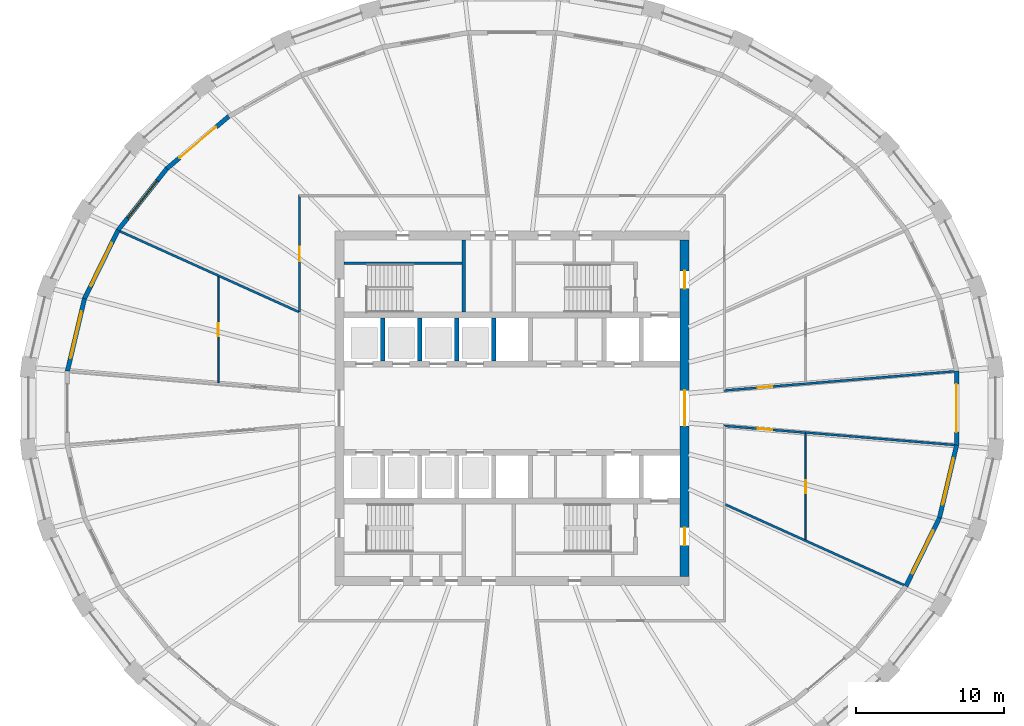
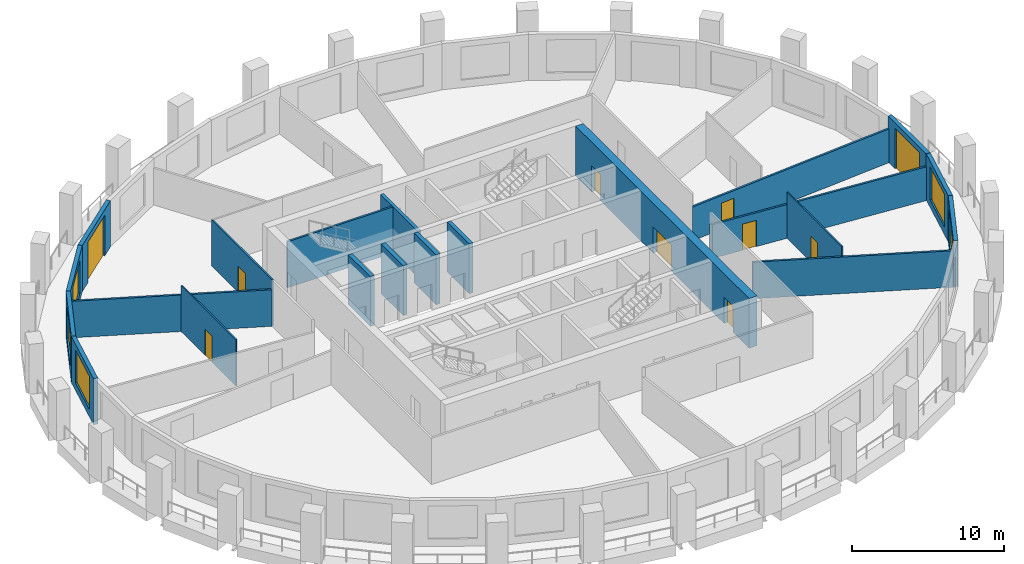
# One storey, part 5 of 10: 22 walls, 10 doors, 5 windows, 15 openings.
"""IFC4 building model written with IfcOpenShell, lengths in metres."""

import ifcopenshell
import ifcopenshell.guid

model = None  # the IFC model being written
_history = None  # IfcOwnerHistory: only IFC2X3 demands one
_inside = {}  # id of a spatial element -> (the spatial element, [elements in it])
_under = {}  # id of a project, library or spatial element -> (it, [spatial elements below it])
_declared = {}  # id of a project -> (the project, [libraries it declares])
_typed = {}  # id of a type object -> (the type object, [elements of that type])
_made_of = {}  # id of a material, layer set ... -> (it, [elements and type objects made of it])


def new_model(schema):
    """Start an empty IFC model of exactly this schema.

    Asked for "IFC4X3", IfcOpenShell would pick the latest addendum, in which some entities
    have other attributes; the version numbers below select the first issue.
    IFC2X3 requires an IfcOwnerHistory on every rooted entity: one is made here for all.
    """
    global model, _history
    if schema == "IFC4X3":
        model = ifcopenshell.file(schema_version=(4, 3, 0, 0))
    else:
        model = ifcopenshell.file(schema=schema)
    _inside.clear()
    _under.clear()
    _declared.clear()
    _typed.clear()
    _made_of.clear()
    _history = None
    if model.schema == "IFC2X3":
        org = make("IfcOrganization", Name="unknown")
        user = make(
            "IfcPersonAndOrganization",
            ThePerson=make("IfcPerson", FamilyName="unknown"),
            TheOrganization=org,
        )
        app = make(
            "IfcApplication",
            ApplicationDeveloper=org,
            Version="unknown",
            ApplicationFullName="unknown",
            ApplicationIdentifier="unknown",
        )
        _history = make(
            "IfcOwnerHistory",
            OwningUser=user,
            OwningApplication=app,
            ChangeAction="ADDED",
            CreationDate=0,
        )
    return model


def make(cls, **values):
    """One entity of the class cls with the attributes given. An attribute that is None is left unset."""
    return model.create_entity(
        cls, **{name: value for name, value in values.items() if value is not None}
    )


def rooted(cls, **values):
    """An entity with a GlobalId (a new one), such as an element, a storey or a relation."""
    return make(cls, GlobalId=ifcopenshell.guid.new(), OwnerHistory=_history, **values)


def si_unit(unit_type, name, prefix=None):
    """IfcSIUnit, for example si_unit("LENGTHUNIT", "METRE", prefix="MILLI")."""
    return make("IfcSIUnit", UnitType=unit_type, Prefix=prefix, Name=name)


def assignment(units):
    """IfcUnitAssignment: the units of a project."""
    return None if units is None else make("IfcUnitAssignment", Units=units)


def point(xyz):
    """IfcCartesianPoint."""
    return None if xyz is None else make("IfcCartesianPoint", Coordinates=xyz)


def direction(xyz):
    """IfcDirection."""
    return None if xyz is None else make("IfcDirection", DirectionRatios=xyz)


def frame(location, z_axis=None, x_axis=None):
    """IfcAxis2Placement3D, a coordinate frame: its origin and axes. An axis left out is left unset."""
    return make(
        "IfcAxis2Placement3D",
        Location=point(location),
        Axis=direction(z_axis),
        RefDirection=direction(x_axis),
    )


def frame_2d(location, x_axis=None):
    """IfcAxis2Placement2D, a coordinate frame in the plane: its origin and x axis."""
    return make(
        "IfcAxis2Placement2D", Location=point(location), RefDirection=direction(x_axis)
    )


def origin():
    """The frame at (0, 0, 0) with its axes left unset."""
    return frame((0.0, 0.0, 0.0))


def place(relative_to, where):
    """IfcLocalPlacement: puts the frame where relative to a parent placement (None: the world)."""
    return make(
        "IfcLocalPlacement", PlacementRelTo=relative_to, RelativePlacement=where
    )


def context(
    kind, dimensions, precision=None, world=None, true_north=None, identifier=None
):
    """IfcGeometricRepresentationContext, for example the 3D "Model" context."""
    return make(
        "IfcGeometricRepresentationContext",
        ContextIdentifier=identifier,
        ContextType=kind,
        CoordinateSpaceDimension=dimensions,
        Precision=precision,
        WorldCoordinateSystem=world,
        TrueNorth=true_north,
    )


def subcontext(parent, identifier, kind, view, scale=None):
    """IfcGeometricRepresentationSubContext, for example "Body" below "Model"."""
    return make(
        "IfcGeometricRepresentationSubContext",
        ContextIdentifier=identifier,
        ContextType=kind,
        ParentContext=parent,
        TargetScale=scale,
        TargetView=view,
    )


def project(units=None, contexts=None):
    """IfcProject with its units and contexts."""
    return rooted(
        "IfcProject",
        Name="project",
        RepresentationContexts=contexts,
        UnitsInContext=assignment(units),
    )


def spatial(cls, under=None, at=None, **own):
    """A site, building, storey or space (cls), placed at a placement, below another one or the project."""
    s = rooted(cls, ObjectPlacement=at, **own)
    if under is not None:
        _under.setdefault(under.id(), (under, []))[1].append(s)
    return s


def polyline(points):
    """IfcPolyline through the points."""
    return make("IfcPolyline", Points=[point(p) for p in points])


def profile(cls, at=None, kind="AREA", **sizes):
    """A parametric profile (cls). Its sizes go by their IFC names, for example OverallWidth=200.0."""
    return make(cls, ProfileType=kind, Position=at, **sizes)


def rectangle(**sizes):
    """IfcRectangleProfileDef."""
    return profile("IfcRectangleProfileDef", **sizes)


def outline(outer, holes=None, kind="AREA"):
    """IfcArbitraryClosedProfileDef: a profile drawn as a closed curve; with holes, ...WithVoids."""
    if holes is None:
        return make("IfcArbitraryClosedProfileDef", ProfileType=kind, OuterCurve=outer)
    return make(
        "IfcArbitraryProfileDefWithVoids",
        ProfileType=kind,
        OuterCurve=outer,
        InnerCurves=holes,
    )


def extrude(swept, where, along, depth):
    """IfcExtrudedAreaSolid: the profile swept, set in the frame where, extruded along a direction by depth."""
    return make(
        "IfcExtrudedAreaSolid",
        SweptArea=swept,
        Position=where,
        ExtrudedDirection=direction(along),
        Depth=depth,
    )


def shape(context_of_items, identifier, shape_type, items):
    """IfcShapeRepresentation: the items that make up one representation, for example the "Body"."""
    return make(
        "IfcShapeRepresentation",
        ContextOfItems=context_of_items,
        RepresentationIdentifier=identifier,
        RepresentationType=shape_type,
        Items=items,
    )


def material(Name=None, Category=None):
    """IfcMaterial."""
    return make("IfcMaterial", Name=Name, Category=Category)


def layer(
    of_material, thickness, ventilated=None, Name=None, Category=None, Priority=None
):
    """IfcMaterialLayer: one layer of a wall or slab, of a material (None: an air gap)."""
    return make(
        "IfcMaterialLayer",
        Material=of_material,
        LayerThickness=thickness,
        IsVentilated=ventilated,
        Name=Name,
        Category=Category,
        Priority=Priority,
    )


def layer_set(layers, Name=None):
    """IfcMaterialLayerSet."""
    return make("IfcMaterialLayerSet", MaterialLayers=layers, LayerSetName=Name)


def made_of(thing, what):
    """Note that an element or type object is made of a material, layer set ...; save() writes the relation."""
    if what is not None:
        _made_of.setdefault(what.id(), (what, []))[1].append(thing)
    return thing


def type_object(cls, material=None, **own):
    """A type object (cls), such as IfcWallType, which elements share."""
    return made_of(rooted(cls, **own), material)


def element(
    cls,
    number,
    at=None,
    inside=None,
    cuts=None,
    type_object=None,
    material=None,
    context=None,
    identifier="Body",
    shape_type=None,
    held_by="IfcProductDefinitionShape",
    body=None,
    shapes=None,
    **own,
):
    """One element of the class cls, such as IfcWall. Its Tag is "e" and its number.

    at: its placement. inside: the storey or other place that contains it. cuts: it is an
    opening in that element (IfcRelVoidsElement). A single representation is given by context,
    identifier, shape_type and body (its items); several are given by shapes. held_by: the class
    of the entity that holds the representations. save() writes the other relations.
    """
    e = rooted(cls, Tag="e%d" % number, ObjectPlacement=at, **own)
    if body is not None:
        shapes = [shape(context, identifier, shape_type, body)]
    if shapes is not None:
        e.Representation = make(held_by, Representations=shapes)
    if inside is not None:
        _inside.setdefault(inside.id(), (inside, []))[1].append(e)
    if cuts is not None:
        rooted(
            "IfcRelVoidsElement", RelatingBuildingElement=cuts, RelatedOpeningElement=e
        )
    if type_object is not None:
        _typed.setdefault(type_object.id(), (type_object, []))[1].append(e)
    return made_of(e, material)


def fill(opening, filler):
    """IfcRelFillsElement: the door or window that sits in an opening."""
    return rooted(
        "IfcRelFillsElement",
        RelatingOpeningElement=opening,
        RelatedBuildingElement=filler,
    )


def aggregate(whole, parts):
    """IfcRelAggregates: a whole, such as a stair, and the parts it consists of."""
    return rooted("IfcRelAggregates", RelatingObject=whole, RelatedObjects=parts)


def save(model, path):
    """Write the relations noted so far, then the file.

    IfcRelAggregates (storeys below a building ...), IfcRelContainedInSpatialStructure (elements
    in a storey), IfcRelDefinesByType, IfcRelAssociatesMaterial and IfcRelDeclares: one each for
    every whole, place, type object, material and project.
    """
    for whole, parts in _under.values():
        aggregate(whole, parts)
    for where, things in _inside.values():
        rooted(
            "IfcRelContainedInSpatialStructure",
            RelatedElements=things,
            RelatingStructure=where,
        )
    for kind, things in _typed.values():
        rooted("IfcRelDefinesByType", RelatedObjects=things, RelatingType=kind)
    for what, things in _made_of.values():
        rooted("IfcRelAssociatesMaterial", RelatedObjects=things, RelatingMaterial=what)
    for by, libraries in _declared.values():
        rooted("IfcRelDeclares", RelatingContext=by, RelatedDefinitions=libraries)
    model.write(path)


model = new_model("IFC4")

# Units and contexts
model_context = context("Model", 3, precision=1e-05, world=origin(), true_north=direction((0.0, 1.0)))
body_context = subcontext(model_context, "Body", "Model", "MODEL_VIEW")
ifc_project = project(units=[si_unit("LENGTHUNIT", "METRE"), si_unit("AREAUNIT", "SQUARE_METRE"), si_unit("VOLUMEUNIT", "CUBIC_METRE"), si_unit("PLANEANGLEUNIT", "RADIAN"), si_unit("MASSUNIT", "GRAM", prefix="KILO")], contexts=[model_context])

# Site, building, storey
site_placement = place(None, origin())
site = spatial("IfcSite", under=ifc_project, at=site_placement, CompositionType="ELEMENT")
building_placement = place(site_placement, origin())
building = spatial("IfcBuilding", under=site, at=building_placement, Name="Halqa Exchange Tower", CompositionType="ELEMENT")
storey_placement = place(building_placement, frame((0.0, 0.0, 182.89990234375)))
storey = spatial("IfcBuildingStorey", under=building, at=storey_placement, Name="L41", CompositionType="ELEMENT", Elevation=182.89990234375)

# Walls
ifc_material_1 = material(Name="Fire-rated gypsum board")
ifc_layer_1 = layer(ifc_material_1, 0.14990234375)
ifc_layer_set_1 = layer_set([ifc_layer_1], Name="Fire-rated gypsum board")
wall_type_1 = type_object("IfcWallType", Name="Fire partition EI 60 150", PredefinedType="PARTITIONING", material=ifc_layer_set_1)
wall_1_placement = place(storey_placement, frame((-26.56494140625, 11.986083984375, 0.0), z_axis=(0.0, 0.0, 1.0), x_axis=(0.911575557789, -0.411132584991, 0.0)))
element("IfcWall", 1, at=wall_1_placement, inside=storey, type_object=wall_type_1, Name="L41-PWL-002", PredefinedType="PARTITIONING", context=body_context, shape_type="SweptSolid", body=[
    extrude(outline(polyline([(0.0, -0.074951171875), (1.8486328125, -0.074951171875), (3.697509765625, -0.074951171875), (5.546142578125, -0.074951171875), (7.394775390625, -0.074951171875), (7.399169921875, -0.072998046875), (7.400146484375, -0.074951171875), (9.365478515625, -0.074951171875), (11.3310546875, -0.074951171875), (13.29638671875, -0.074951171875), (13.29638671875, -0.07470703125), (13.2763671875, -0.030517578125), (13.2900390625, -0.024169921875), (13.245361328125, 0.074951171875), (11.356201171875, 0.074951171875), (9.46728515625, 0.074951171875), (7.578125, 0.074951171875), (5.68896484375, 0.074951171875), (3.800048828125, 0.074951171875), (1.910888671875, 0.074951171875), (0.02197265625, 0.074951171875), (0.002197265625, -0.00341796875), (0.0, -0.070068359375), (0.0, -0.074951171875)])), origin(), (0.0, 0.0, 1.0), 2.93017578125),
])
wall_2_placement = place(storey_placement, frame((14.444091796875, -6.52001953125, 0.0), z_axis=(0.0, 0.0, 1.0), x_axis=(0.911592423636, -0.411095187479, 0.0)))
element("IfcWall", 2, at=wall_2_placement, inside=storey, type_object=wall_type_1, Name="L41-PWL-020", PredefinedType="PARTITIONING", context=body_context, shape_type="SweptSolid", body=[
    extrude(outline(polyline([(0.067626953125, -0.074951171875), (1.954345703125, -0.074951171875), (3.841064453125, -0.074951171875), (5.727783203125, -0.074951171875), (7.614501953125, -0.074951171875), (9.501220703125, -0.074951171875), (11.3876953125, -0.074951171875), (13.2744140625, -0.074951171875), (13.294189453125, 0.00341796875), (13.29638671875, 0.072021484375), (13.29638671875, 0.074951171875), (11.447509765625, 0.074951171875), (9.5986328125, 0.074951171875), (7.749755859375, 0.074951171875), (5.90087890625, 0.074951171875), (5.897216796875, 0.0732421875), (5.896484375, 0.074951171875), (3.930908203125, 0.074951171875), (1.965576171875, 0.074951171875), (0.0, 0.074951171875), (0.067626953125, -0.074951171875)])), origin(), (0.0, 0.0, 1.0), 2.93017578125),
])

# Wall, opening, door
wall_3_placement = place(storey_placement, frame((14.318603515625, -1.193115234375, 0.0), z_axis=(0.0, 0.0, 1.0), x_axis=(0.996519550004, -0.083359381354, 0.0)))
wall_3 = element("IfcWall", 3, at=wall_3_placement, inside=storey, type_object=wall_type_1, Name="L41-PWL-021", PredefinedType="PARTITIONING", context=body_context, shape_type="SweptSolid", body=[
    extrude(outline(polyline([(0.1630859375, -0.074951171875), (1.972900390625, -0.074951171875), (3.78271484375, -0.074951171875), (5.592529296875, -0.074951171875), (5.599853515625, -0.074462890625), (5.599853515625, 0.074951171875), (3.733154296875, 0.074951171875), (1.86669921875, 0.074951171875), (0.0, 0.074951171875), (0.081787109375, 0.0), (0.1630859375, -0.074951171875)])), origin(), (0.0, 0.0, 1.0), 2.710205078125),
])
opening_1_placement = place(wall_3_placement, frame((2.341064453125, 0.0, 0.0)))
opening_1 = element("IfcOpeningElement", 4, at=opening_1_placement, cuts=wall_3, Name="Opening 12-07", PredefinedType="OPENING", context=body_context, shape_type="SweptSolid", body=[
    extrude(rectangle(XDim=1.0, YDim=2.10009765625, at=frame_2d((0.5, 1.050048828125))), frame((0.0, 0.0869140625, 0.0), z_axis=(0.0, -1.0, 0.0), x_axis=(1.0, 0.0, 0.0)), (0.0, 0.0, 1.0), 0.173828125),
])
ifc_material_2 = material(Name="Steel fire door leaf", Category="steel")
door_type_1 = type_object("IfcDoorType", Name="Fire door FD30S 1000 x 2100", OperationType="SINGLE_SWING_LEFT", PredefinedType="DOOR", material=ifc_material_2)
door_1_placement = place(opening_1_placement, frame((1.0, 0.0, 0.0), z_axis=(0.0, 0.0, 1.0), x_axis=(-1.0, 0.0, 0.0)))
door_1 = element("IfcDoor", 5, at=door_1_placement, inside=storey, type_object=door_type_1, Name="L41-IDR-007", OperationType="SINGLE_SWING_LEFT", OverallHeight=2.10009765625, OverallWidth=1.0, PredefinedType="DOOR", context=body_context, shape_type="SweptSolid", body=[
    extrude(rectangle(XDim=1.0, YDim=2.10009765625, at=frame_2d((0.5, 1.050048828125))), frame((0.0, 0.02490234375, 0.0), z_axis=(0.0, -1.0, 0.0), x_axis=(1.0, 0.0, 0.0)), (0.0, 0.0, 1.0), 0.050048828125),
])
fill(opening_1, door_1)

wall_4_placement = place(storey_placement, frame((14.31884765625, 1.193115234375, 0.0), z_axis=(0.0, 0.0, 1.0), x_axis=(0.996561500002, 0.082856361942, 0.0)))
wall_4 = element("IfcWall", 6, at=wall_4_placement, inside=storey, type_object=wall_type_1, Name="L41-PWL-023", PredefinedType="PARTITIONING", context=body_context, shape_type="SweptSolid", body=[
    extrude(outline(polyline([(0.0, -0.074951171875), (1.963134765625, -0.074951171875), (3.92626953125, -0.074951171875), (5.889404296875, -0.074951171875), (7.8525390625, -0.074951171875), (9.815673828125, -0.074951171875), (11.77880859375, -0.074951171875), (13.741943359375, -0.074951171875), (15.705078125, -0.074951171875), (15.705078125, -0.074462890625), (15.705078125, 0.035888671875), (15.69921875, 0.074951171875), (13.757080078125, 0.074951171875), (11.815185546875, 0.074951171875), (9.873046875, 0.074951171875), (7.930908203125, 0.074951171875), (5.989013671875, 0.074951171875), (4.046875, 0.074951171875), (2.104736328125, 0.074951171875), (0.162841796875, 0.074951171875), (0.08154296875, 0.000244140625), (0.0, -0.07470703125), (0.0, -0.074951171875)])), origin(), (0.0, 0.0, 1.0), 2.710205078125),
])
opening_2_placement = place(wall_4_placement, frame((2.341064453125, 0.0, 0.0)))
opening_2 = element("IfcOpeningElement", 7, at=opening_2_placement, cuts=wall_4, Name="Opening 12-08", PredefinedType="OPENING", context=body_context, shape_type="SweptSolid", body=[
    extrude(rectangle(XDim=1.0, YDim=2.10009765625, at=frame_2d((0.5, 1.050048828125))), frame((0.0, 0.0869140625, 0.0), z_axis=(0.0, -1.0, 0.0), x_axis=(1.0, 0.0, 0.0)), (0.0, 0.0, 1.0), 0.173828125),
])
door_2_placement = place(opening_2_placement, origin())
door_2 = element("IfcDoor", 8, at=door_2_placement, inside=storey, type_object=door_type_1, Name="L41-IDR-008", OperationType="SINGLE_SWING_LEFT", OverallHeight=2.10009765625, OverallWidth=1.0, PredefinedType="DOOR", context=body_context, shape_type="SweptSolid", body=[
    extrude(rectangle(XDim=1.0, YDim=2.10009765625, at=frame_2d((0.5, 1.050048828125))), frame((0.0, 0.02490234375, 0.0), z_axis=(0.0, -1.0, 0.0), x_axis=(1.0, 0.0, 0.0)), (0.0, 0.0, 1.0), 0.050048828125),
])
fill(opening_2, door_2)

# Wall
wall_5_placement = place(storey_placement, frame((19.89990234375, -1.64990234375, 0.0), z_axis=(0.0, 0.0, 1.0), x_axis=(0.996505820255, -0.083523351209, 0.0)))
element("IfcWall", 9, at=wall_5_placement, inside=storey, type_object=wall_type_1, Name="L41-PWL-026", PredefinedType="PARTITIONING", context=body_context, shape_type="SweptSolid", body=[
    extrude(outline(polyline([(0.0, -0.074951171875), (1.683349609375, -0.074951171875), (3.366455078125, -0.074951171875), (5.0498046875, -0.074951171875), (6.733154296875, -0.074951171875), (8.41650390625, -0.074951171875), (10.099609375, -0.074951171875), (10.10498046875, -0.039306640625), (10.10498046875, 0.074951171875), (8.4208984375, 0.074951171875), (6.736572265625, 0.074951171875), (5.052490234375, 0.074951171875), (3.368408203125, 0.074951171875), (1.68408203125, 0.074951171875), (0.0, 0.074951171875), (0.0, -0.074951171875)])), origin(), (0.0, 0.0, 1.0), 2.710205078125),
])

# Wall, opening, door
ifc_material_3 = material(Name="Fire-rated glazing", Category="glass")
ifc_layer_2 = layer(ifc_material_3, 0.1201171875)
ifc_layer_set_2 = layer_set([ifc_layer_2], Name="Fire-rated glazing")
wall_type_2 = type_object("IfcWallType", Name="Glazed fire partition EI 60 120", PredefinedType="PARTITIONING", material=ifc_layer_set_2)
wall_6_placement = place(storey_placement, frame((-14.39990234375, 6.5, 0.0), z_axis=(0.0, 0.0, 1.0), x_axis=(0.0, 1.0, 0.0)))
wall_6 = element("IfcWall", 10, at=wall_6_placement, inside=storey, type_object=wall_type_2, Name="L41-PWL-007", PredefinedType="PARTITIONING", context=body_context, shape_type="SweptSolid", body=[
    extrude(outline(polyline([(0.0, -0.06005859375), (1.9599609375, -0.06005859375), (3.919921875, -0.06005859375), (5.8798828125, -0.06005859375), (7.83984375, -0.06005859375), (7.9599609375, 0.06005859375), (5.969970703125, 0.06005859375), (3.97998046875, 0.06005859375), (1.989990234375, 0.06005859375), (0.0, 0.06005859375), (0.0, -0.06005859375)])), origin(), (0.0, 0.0, 1.0), 3.7001953125),
])
opening_3_placement = place(wall_6_placement, frame((3.449951171875, 0.0, 0.0)))
opening_3 = element("IfcOpeningElement", 11, at=opening_3_placement, cuts=wall_6, Name="Opening 12-02", PredefinedType="OPENING", context=body_context, shape_type="SweptSolid", body=[
    extrude(rectangle(XDim=1.0, YDim=2.10009765625, at=frame_2d((0.5, 1.050048828125))), frame((0.0, 0.072021484375, 0.0), z_axis=(0.0, -1.0, 0.0), x_axis=(1.0, 0.0, 0.0)), (0.0, 0.0, 1.0), 0.14404296875),
])
door_3_placement = place(opening_3_placement, origin())
door_3 = element("IfcDoor", 12, at=door_3_placement, inside=storey, type_object=door_type_1, Name="L41-IDR-002", OperationType="SINGLE_SWING_RIGHT", OverallHeight=2.10009765625, OverallWidth=1.0, PredefinedType="DOOR", context=body_context, shape_type="SweptSolid", body=[
    extrude(rectangle(XDim=1.0, YDim=2.10009765625, at=frame_2d((0.5, 1.050048828125))), frame((0.0, 0.02490234375, 0.0), z_axis=(0.0, -1.0, 0.0), x_axis=(1.0, 0.0, 0.0)), (0.0, 0.0, 1.0), 0.050048828125),
])
fill(opening_3, door_3)

ifc_material_4 = material(Name="Gypsum board")
ifc_layer_3 = layer(ifc_material_4, 0.10009765625)
ifc_layer_set_3 = layer_set([ifc_layer_3], Name="Gypsum board")
wall_type_3 = type_object("IfcWallType", Name="Partition 100 gypsum", PredefinedType="PARTITIONING", material=ifc_layer_set_3)
wall_7_placement = place(storey_placement, frame((-19.89990234375, 1.728515625, 0.0), z_axis=(0.0, 0.0, 1.0), x_axis=(0.0, 1.0, 0.0)))
wall_7 = element("IfcWall", 13, at=wall_7_placement, inside=storey, type_object=wall_type_3, Name="L41-PWL-003", PredefinedType="PARTITIONING", context=body_context, shape_type="SweptSolid", body=[
    extrude(outline(polyline([(0.0, -0.050048828125), (1.78662109375, -0.050048828125), (3.5732421875, -0.050048828125), (5.35986328125, -0.050048828125), (7.146484375, -0.050048828125), (7.19140625, 0.04931640625), (7.19140625, 0.050048828125), (5.3955078125, 0.050048828125), (3.599853515625, 0.050048828125), (1.803955078125, 0.050048828125), (0.008056640625, 0.050048828125), (0.0, -0.0478515625), (0.0, -0.050048828125)])), origin(), (0.0, 0.0, 1.0), 3.7001953125),
])
opening_4_placement = place(wall_7_placement, frame((3.1416015625, 0.0, 0.0)))
opening_4 = element("IfcOpeningElement", 14, at=opening_4_placement, cuts=wall_7, Name="Opening 12-11", PredefinedType="OPENING", context=body_context, shape_type="SweptSolid", body=[
    extrude(rectangle(XDim=0.89990234375, YDim=2.10009765625, at=frame_2d((0.449951171875, 1.050048828125))), frame((0.0, 0.06201171875, 0.0), z_axis=(0.0, -1.0, 0.0), x_axis=(1.0, 0.0, 0.0)), (0.0, 0.0, 1.0), 0.1240234375),
])
ifc_material_5 = material(Name="Timber door leaf", Category="wood")
door_type_2 = type_object("IfcDoorType", Name="Door 900 x 2100", OperationType="SINGLE_SWING_LEFT", PredefinedType="DOOR", material=ifc_material_5)
door_4_placement = place(opening_4_placement, frame((0.89990234375, 0.0, 0.0), z_axis=(0.0, 0.0, 1.0), x_axis=(-1.0, 0.0, 0.0)))
door_4 = element("IfcDoor", 15, at=door_4_placement, inside=storey, type_object=door_type_2, Name="L41-IDR-011", OperationType="SINGLE_SWING_LEFT", OverallHeight=2.10009765625, OverallWidth=0.89990234375, PredefinedType="DOOR", context=body_context, shape_type="SweptSolid", body=[
    extrude(rectangle(XDim=0.89990234375, YDim=2.10009765625, at=frame_2d((0.449951171875, 1.050048828125))), frame((0.0, 0.02490234375, 0.0), z_axis=(0.0, -1.0, 0.0), x_axis=(1.0, 0.0, 0.0)), (0.0, 0.0, 1.0), 0.050048828125),
])
fill(opening_4, door_4)

wall_8_placement = place(storey_placement, frame((19.89990234375, -1.7294921875, 0.0), z_axis=(0.0, 0.0, 1.0), x_axis=(0.0, -1.0, 0.0)))
wall_8 = element("IfcWall", 16, at=wall_8_placement, inside=storey, type_object=wall_type_3, Name="L41-PWL-025", PredefinedType="PARTITIONING", context=body_context, shape_type="SweptSolid", body=[
    extrude(outline(polyline([(0.001708984375, -0.050048828125), (1.78759765625, -0.050048828125), (3.57373046875, -0.050048828125), (5.35986328125, -0.050048828125), (7.14599609375, -0.050048828125), (7.19091796875, 0.0498046875), (7.19091796875, 0.050048828125), (5.39306640625, 0.050048828125), (3.595458984375, 0.050048828125), (1.7978515625, 0.050048828125), (0.0, 0.050048828125), (0.0, -0.006591796875), (0.005126953125, -0.007080078125), (0.001708984375, -0.050048828125)])), origin(), (0.0, 0.0, 1.0), 3.7001953125),
])
opening_5_placement = place(wall_8_placement, frame((3.140380859375, 0.0, 0.0)))
opening_5 = element("IfcOpeningElement", 17, at=opening_5_placement, cuts=wall_8, Name="Opening 12-12", PredefinedType="OPENING", context=body_context, shape_type="SweptSolid", body=[
    extrude(rectangle(XDim=0.89990234375, YDim=2.10009765625, at=frame_2d((0.449951171875, 1.050048828125))), frame((0.0, 0.06201171875, 0.0), z_axis=(0.0, -1.0, 0.0), x_axis=(1.0, 0.0, 0.0)), (0.0, 0.0, 1.0), 0.1240234375),
])
door_5_placement = place(opening_5_placement, frame((0.89990234375, 0.0, 0.0), z_axis=(0.0, 0.0, 1.0), x_axis=(-1.0, 0.0, 0.0)))
door_5 = element("IfcDoor", 18, at=door_5_placement, inside=storey, type_object=door_type_2, Name="L41-IDR-012", OperationType="SINGLE_SWING_LEFT", OverallHeight=2.10009765625, OverallWidth=0.89990234375, PredefinedType="DOOR", context=body_context, shape_type="SweptSolid", body=[
    extrude(rectangle(XDim=0.89990234375, YDim=2.10009765625, at=frame_2d((0.449951171875, 1.050048828125))), frame((0.0, 0.02490234375, 0.0), z_axis=(0.0, -1.0, 0.0), x_axis=(1.0, 0.0, 0.0)), (0.0, 0.0, 1.0), 0.050048828125),
])
fill(opening_5, door_5)

# Walls
ifc_material_6 = material(Name="Concrete C60/75", Category="concrete")
ifc_layer_4 = layer(ifc_material_6, 0.300048828125)
ifc_layer_set_4 = layer_set([ifc_layer_4], Name="Concrete C60/75")
wall_type_4 = type_object("IfcWallType", Name="RC core wall 300", PredefinedType="SHEAR", material=ifc_layer_set_4)
for number, where, z_axis, x_axis, name in (
    (19, (-8.75, 3.199951171875, 0.0), (0.0, 0.0, 1.0), (0.0, 1.0, 0.0), "Shaft divider N1"),
    (20, (-6.25, 3.199951171875, 0.0), (0.0, 0.0, 1.0), (0.0, 1.0, 0.0), "Shaft divider N2"),
    (21, (-3.75, 3.199951171875, 0.0), (0.0, 0.0, 1.0), (0.0, 1.0, 0.0), "Shaft divider N3"),
    (22, (-1.25, 3.199951171875, 0.0), (0.0, 0.0, 1.0), (0.0, 1.0, 0.0), "Shaft divider N4"),
):
    element("IfcWall", number, at=place(storey_placement, frame(where, z_axis=z_axis, x_axis=x_axis)), inside=storey, type_object=wall_type_4, Name=name, PredefinedType="SHEAR", context=body_context, shape_type="SweptSolid", body=[
        extrude(rectangle(XDim=2.900146484375, YDim=0.300048828125, at=frame_2d((1.4501953125, 0.0))), origin(), (0.0, 0.0, 1.0), 4.0),
    ])

# Wall, openings, doors
ifc_material_7 = material(Name="Concrete C70/85", Category="concrete")
ifc_layer_5 = layer(ifc_material_7, 0.60009765625)
ifc_layer_set_5 = layer_set([ifc_layer_5], Name="Concrete C70/85")
wall_type_5 = type_object("IfcWallType", Name="RC core wall 600 C70/85", PredefinedType="SHEAR", material=ifc_layer_set_5)
wall_9_placement = place(storey_placement, frame((11.699951171875, -11.39990234375, 0.0), z_axis=(0.0, 0.0, 1.0), x_axis=(0.0, 1.0, 0.0)))
wall_9 = element("IfcWall", 23, at=wall_9_placement, inside=storey, type_object=wall_type_5, Name="Core wall east", PredefinedType="SHEAR", context=body_context, shape_type="SweptSolid", body=[
    extrude(rectangle(XDim=22.7998046875, YDim=0.60009765625, at=frame_2d((11.39990234375, 0.0))), origin(), (0.0, 0.0, 1.0), 4.0),
])
opening_6_placement = place(wall_9_placement, frame((10.199951171875, 0.0, 0.0)))
opening_6 = element("IfcOpeningElement", 24, at=opening_6_placement, cuts=wall_9, Name="Opening T12-C14", PredefinedType="OPENING", context=body_context, shape_type="SweptSolid", body=[
    extrude(rectangle(XDim=2.39990234375, YDim=2.10009765625, at=frame_2d((1.199951171875, 1.050048828125))), frame((0.0, 0.31201171875, 0.0), z_axis=(0.0, -1.0, 0.0), x_axis=(1.0, 0.0, 0.0)), (0.0, 0.0, 1.0), 0.6240234375),
])
opening_7_placement = place(wall_9_placement, frame((19.5, 0.0, 0.0)))
opening_7 = element("IfcOpeningElement", 25, at=opening_7_placement, cuts=wall_9, Name="Opening T12-C19", PredefinedType="OPENING", context=body_context, shape_type="SweptSolid", body=[
    extrude(rectangle(XDim=1.199951171875, YDim=2.10009765625, at=frame_2d((0.60009765625, 1.050048828125))), frame((0.0, 0.31201171875, 0.0), z_axis=(0.0, -1.0, 0.0), x_axis=(1.0, 0.0, 0.0)), (0.0, 0.0, 1.0), 0.6240234375),
])
opening_8_placement = place(wall_9_placement, frame((2.10009765625, 0.0, 0.0)))
opening_8 = element("IfcOpeningElement", 26, at=opening_8_placement, cuts=wall_9, Name="Opening T12-C20", PredefinedType="OPENING", context=body_context, shape_type="SweptSolid", body=[
    extrude(rectangle(XDim=1.199951171875, YDim=2.10009765625, at=frame_2d((0.60009765625, 1.050048828125))), frame((0.0, 0.31201171875, 0.0), z_axis=(0.0, -1.0, 0.0), x_axis=(1.0, 0.0, 0.0)), (0.0, 0.0, 1.0), 0.6240234375),
])
door_type_3 = type_object("IfcDoorType", Name="Firefighting lobby door FD90 1200 x 2100", OperationType="SINGLE_SWING_RIGHT", PredefinedType="DOOR", material=ifc_material_2)
door_6_placement = place(opening_7_placement, origin())
door_6 = element("IfcDoor", 27, at=door_6_placement, inside=storey, type_object=door_type_3, Name="Firefighting lobby door", OperationType="SINGLE_SWING_RIGHT", OverallHeight=2.10009765625, OverallWidth=1.199951171875, PredefinedType="DOOR", context=body_context, shape_type="SweptSolid", body=[
    extrude(rectangle(XDim=1.199951171875, YDim=2.10009765625, at=frame_2d((0.60009765625, 1.050048828125))), frame((0.0, 0.02490234375, 0.0), z_axis=(0.0, -1.0, 0.0), x_axis=(1.0, 0.0, 0.0)), (0.0, 0.0, 1.0), 0.050048828125),
])
fill(opening_7, door_6)
door_7_placement = place(opening_8_placement, origin())
door_7 = element("IfcDoor", 28, at=door_7_placement, inside=storey, type_object=door_type_3, Name="Firefighting lobby door", OperationType="SINGLE_SWING_LEFT", OverallHeight=2.10009765625, OverallWidth=1.199951171875, PredefinedType="DOOR", context=body_context, shape_type="SweptSolid", body=[
    extrude(rectangle(XDim=1.199951171875, YDim=2.10009765625, at=frame_2d((0.60009765625, 1.050048828125))), frame((0.0, 0.02490234375, 0.0), z_axis=(0.0, -1.0, 0.0), x_axis=(1.0, 0.0, 0.0)), (0.0, 0.0, 1.0), 0.050048828125),
])
fill(opening_8, door_7)
door_type_4 = type_object("IfcDoorType", Name="Lobby double door FD60 2400 x 2100", OperationType="DOUBLE_DOOR_SINGLE_SWING", PredefinedType="DOOR", material=ifc_material_2)
door_8_placement = place(opening_6_placement, origin())
door_8 = element("IfcDoor", 29, at=door_8_placement, inside=storey, type_object=door_type_4, Name="Lift lobby double door", OperationType="DOUBLE_DOOR_SINGLE_SWING", OverallHeight=2.10009765625, OverallWidth=2.39990234375, PredefinedType="DOOR", context=body_context, shape_type="SweptSolid", body=[
    extrude(rectangle(XDim=2.39990234375, YDim=2.10009765625, at=frame_2d((1.199951171875, 1.050048828125))), frame((0.0, 0.02490234375, 0.0), z_axis=(0.0, -1.0, 0.0), x_axis=(1.0, 0.0, 0.0)), (0.0, 0.0, 1.0), 0.050048828125),
])
fill(opening_6, door_8)

# Walls
ifc_material_8 = material(Name="Concrete C30/37", Category="concrete")
ifc_layer_6 = layer(ifc_material_8, 0.14990234375)
ifc_layer_set_6 = layer_set([ifc_layer_6], Name="Concrete C30/37")
wall_type_6 = type_object("IfcWallType", Name="RC stair wall 150 C30/37", PredefinedType="SHEAR", material=ifc_layer_set_6)
wall_10_placement = place(storey_placement, frame((-11.39990234375, 9.824951171875, 0.0), z_axis=(0.0, 0.0, 1.0), x_axis=(1.0, 0.0, 0.0)))
element("IfcWall", 30, at=wall_10_placement, inside=storey, type_object=wall_type_6, Name="Stair ST1 north wall N", PredefinedType="SHEAR", context=body_context, shape_type="SweptSolid", body=[
    extrude(rectangle(XDim=8.0, YDim=0.14990234375, at=frame_2d((4.0, 0.0))), origin(), (0.0, 0.0, 1.0), 3.7001953125),
])
ifc_layer_7 = layer(ifc_material_8, 0.25)
ifc_layer_set_7 = layer_set([ifc_layer_7], Name="Concrete C30/37")
wall_type_7 = type_object("IfcWallType", Name="RC stair wall 250 C30/37", PredefinedType="SHEAR", material=ifc_layer_set_7)
wall_11_placement = place(storey_placement, frame((-3.27490234375, 6.5, 0.0), z_axis=(0.0, 0.0, 1.0), x_axis=(0.0, 1.0, 0.0)))
element("IfcWall", 31, at=wall_11_placement, inside=storey, type_object=wall_type_7, Name="Stair ST1 east wall N", PredefinedType="SHEAR", context=body_context, shape_type="SweptSolid", body=[
    extrude(rectangle(XDim=4.89990234375, YDim=0.25, at=frame_2d((2.449951171875, 0.0))), origin(), (0.0, 0.0, 1.0), 3.7001953125),
])

# Wall, opening, door
ifc_material_9 = material(Name="Limestone cladding", Category="masonry")
ifc_layer_8 = layer(ifc_material_9, 0.0400390625)
ifc_material_10 = material(Name="Ventilated cavity")
ifc_layer_9 = layer(ifc_material_10, 0.030029296875, ventilated=True)
ifc_material_11 = material(Name="Mineral wool insulation")
ifc_layer_10 = layer(ifc_material_11, 0.10009765625)
ifc_layer_11 = layer(ifc_material_8, 0.10009765625)
ifc_material_12 = material(Name="Internal plaster")
ifc_layer_12 = layer(ifc_material_12, 0.030029296875)
ifc_layer_set_8 = layer_set([ifc_layer_8, ifc_layer_9, ifc_layer_10, ifc_layer_11, ifc_layer_12], Name="Stone-faced insulated wall 300")
wall_type_8 = type_object("IfcWallType", Name="Stone-faced insulated wall 300", PredefinedType="STANDARD", material=ifc_layer_set_8)
wall_12_placement = place(storey_placement, frame((-19.194580078125, 19.772216796875, 0.0), z_axis=(0.0, 0.0, 1.0), x_axis=(-0.764238764041, -0.64493341636, 0.0)))
wall_12 = element("IfcWall", 32, at=wall_12_placement, inside=storey, type_object=wall_type_8, Name="Glass-line wall 12", PredefinedType="STANDARD", context=body_context, shape_type="SweptSolid", body=[
    extrude(outline(polyline([(-0.01416015625, -0.14990234375), (5.507568359375, -0.14990234375), (5.477294921875, 0.14990234375), (0.01416015625, 0.14990234375), (-0.01416015625, -0.14990234375)])), origin(), (0.0, 0.0, 1.0), 3.7001953125),
])
opening_9_placement = place(wall_12_placement, frame((1.12109375, 0.0, 0.0)))
opening_9 = element("IfcOpeningElement", 33, at=opening_9_placement, cuts=wall_12, Name="Opening LG-F3-03", PredefinedType="OPENING", context=body_context, shape_type="SweptSolid", body=[
    extrude(rectangle(XDim=3.25, YDim=3.25, at=frame_2d((1.625, 1.625))), frame((0.0, 0.162109375, 0.0), z_axis=(0.0, -1.0, 0.0), x_axis=(1.0, 0.0, 0.0)), (0.0, 0.0, 1.0), 0.323974609375),
])
ifc_material_13 = material(Name="Clear low-emissivity glass in aluminium frame", Category="aluminium")
door_type_5 = type_object("IfcDoorType", Name="Glazed sliding loggia door 3250 x 3250", OperationType="DOUBLE_DOOR_SLIDING", PredefinedType="DOOR", material=ifc_material_13)
door_9_placement = place(opening_9_placement, origin())
door_9 = element("IfcDoor", 34, at=door_9_placement, inside=storey, type_object=door_type_5, Name="Loggia door 3", OperationType="DOUBLE_DOOR_SLIDING", OverallHeight=3.25, OverallWidth=3.25, PredefinedType="DOOR", context=body_context, shape_type="SweptSolid", body=[
    extrude(rectangle(XDim=3.25, YDim=3.25, at=frame_2d((1.625, 1.625))), frame((0.0, 0.02490234375, 0.0), z_axis=(0.0, -1.0, 0.0), x_axis=(1.0, 0.0, 0.0)), (0.0, 0.0, 1.0), 0.050048828125),
])
fill(opening_9, door_9)

# Wall, opening, window
wall_13_placement = place(storey_placement, frame((-23.39208984375, 16.22998046875, 0.0), z_axis=(0.0, 0.0, 1.0), x_axis=(-0.620766467446, -0.78399553117, 0.0)))
wall_13 = element("IfcWall", 35, at=wall_13_placement, inside=storey, type_object=wall_type_8, Name="Glass-line wall 13", PredefinedType="STANDARD", context=body_context, shape_type="SweptSolid", body=[
    extrude(outline(polyline([(-0.01513671875, -0.14990234375), (5.331787109375, -0.14990234375), (5.299560546875, 0.14990234375), (0.01513671875, 0.14990234375), (-0.01513671875, -0.14990234375)])), origin(), (0.0, 0.0, 1.0), 3.7001953125),
])
opening_10_placement = place(wall_13_placement, frame((1.032958984375, 0.0, 0.60009765625)))
opening_10 = element("IfcOpeningElement", 36, at=opening_10_placement, cuts=wall_13, Name="Opening W-F3-13", PredefinedType="OPENING", context=body_context, shape_type="SweptSolid", body=[
    extrude(rectangle(XDim=3.25, YDim=2.64990234375, at=frame_2d((1.625, 1.324951171875))), frame((0.0, 0.162109375, 0.0), z_axis=(0.0, -1.0, 0.0), x_axis=(1.0, 0.0, 0.0)), (0.0, 0.0, 1.0), 0.323974609375),
])
window_type = type_object("IfcWindowType", Name="Fixed clear glazed window 3250 x 2650", PartitioningType="TRIPLE_PANEL_VERTICAL", PredefinedType="WINDOW", material=ifc_material_13)
window_1_placement = place(opening_10_placement, origin())
window_1 = element("IfcWindow", 37, at=window_1_placement, inside=storey, type_object=window_type, Name="Window 3", OverallHeight=2.64990234375, OverallWidth=3.25, PartitioningType="TRIPLE_PANEL_VERTICAL", PredefinedType="WINDOW", context=body_context, shape_type="SweptSolid", body=[
    extrude(rectangle(XDim=3.25, YDim=2.64990234375, at=frame_2d((1.625, 1.324951171875))), frame((0.0, 0.030029296875, 0.0), z_axis=(0.0, -1.0, 0.0), x_axis=(1.0, 0.0, 0.0)), (0.0, 0.0, 1.0), 0.06005859375),
])
fill(opening_10, window_1)

wall_14_placement = place(storey_placement, frame((-26.69189453125, 12.0625, 0.0), z_axis=(0.0, 0.0, 1.0), x_axis=(-0.440673883676, -0.897667270343, 0.0)))
wall_14 = element("IfcWall", 38, at=wall_14_placement, inside=storey, type_object=wall_type_8, Name="Glass-line wall 14", PredefinedType="STANDARD", context=body_context, shape_type="SweptSolid", body=[
    extrude(outline(polyline([(-0.01611328125, -0.14990234375), (5.177978515625, -0.14990234375), (5.144287109375, 0.14990234375), (0.01611328125, 0.14990234375), (-0.01611328125, -0.14990234375)])), origin(), (0.0, 0.0, 1.0), 3.7001953125),
])
opening_11_placement = place(wall_14_placement, frame((0.95556640625, 0.0, 0.60009765625)))
opening_11 = element("IfcOpeningElement", 39, at=opening_11_placement, cuts=wall_14, Name="Opening W-F3-14", PredefinedType="OPENING", context=body_context, shape_type="SweptSolid", body=[
    extrude(rectangle(XDim=3.25, YDim=2.64990234375, at=frame_2d((1.625, 1.324951171875))), frame((0.0, 0.162109375, 0.0), z_axis=(0.0, -1.0, 0.0), x_axis=(1.0, 0.0, 0.0)), (0.0, 0.0, 1.0), 0.323974609375),
])
window_2_placement = place(opening_11_placement, origin())
window_2 = element("IfcWindow", 40, at=window_2_placement, inside=storey, type_object=window_type, Name="Window 3", OverallHeight=2.64990234375, OverallWidth=3.25, PartitioningType="TRIPLE_PANEL_VERTICAL", PredefinedType="WINDOW", context=body_context, shape_type="SweptSolid", body=[
    extrude(rectangle(XDim=3.25, YDim=2.64990234375, at=frame_2d((1.625, 1.324951171875))), frame((0.0, 0.030029296875, 0.0), z_axis=(0.0, -1.0, 0.0), x_axis=(1.0, 0.0, 0.0)), (0.0, 0.0, 1.0), 0.06005859375),
])
fill(opening_11, window_2)

wall_15_placement = place(storey_placement, frame((-28.96630859375, 7.429443359375, 0.0), z_axis=(0.0, 0.0, 1.0), x_axis=(-0.229434992017, -0.973323987395, 0.0)))
wall_15 = element("IfcWall", 41, at=wall_15_placement, inside=storey, type_object=wall_type_8, Name="Glass-line wall 15", PredefinedType="STANDARD", context=body_context, shape_type="SweptSolid", body=[
    extrude(outline(polyline([(-0.016845703125, -0.14990234375), (5.07275390625, -0.14990234375), (5.0380859375, 0.14990234375), (0.016845703125, 0.14990234375), (-0.016845703125, -0.14990234375)])), origin(), (0.0, 0.0, 1.0), 3.7001953125),
])
opening_12_placement = place(wall_15_placement, frame((0.902587890625, 0.0, 0.60009765625)))
opening_12 = element("IfcOpeningElement", 42, at=opening_12_placement, cuts=wall_15, Name="Opening W-F3-15", PredefinedType="OPENING", context=body_context, shape_type="SweptSolid", body=[
    extrude(rectangle(XDim=3.25, YDim=2.64990234375, at=frame_2d((1.625, 1.324951171875))), frame((0.0, 0.162109375, 0.0), z_axis=(0.0, -1.0, 0.0), x_axis=(1.0, 0.0, 0.0)), (0.0, 0.0, 1.0), 0.323974609375),
])
window_3_placement = place(opening_12_placement, origin())
window_3 = element("IfcWindow", 43, at=window_3_placement, inside=storey, type_object=window_type, Name="Window 3", OverallHeight=2.64990234375, OverallWidth=3.25, PartitioningType="TRIPLE_PANEL_VERTICAL", PredefinedType="WINDOW", context=body_context, shape_type="SweptSolid", body=[
    extrude(rectangle(XDim=3.25, YDim=2.64990234375, at=frame_2d((1.625, 1.324951171875))), frame((0.0, 0.030029296875, 0.0), z_axis=(0.0, -1.0, 0.0), x_axis=(1.0, 0.0, 0.0)), (0.0, 0.0, 1.0), 0.06005859375),
])
fill(opening_12, window_3)

wall_16_placement = place(storey_placement, frame((26.69189453125, -12.0625, 0.0), z_axis=(0.0, 0.0, 1.0), x_axis=(0.440673883676, 0.897667270343, 0.0)))
wall_16 = element("IfcWall", 44, at=wall_16_placement, inside=storey, type_object=wall_type_8, Name="Glass-line wall 30", PredefinedType="STANDARD", context=body_context, shape_type="SweptSolid", body=[
    extrude(outline(polyline([(-0.01611328125, -0.14990234375), (5.177978515625, -0.14990234375), (5.144287109375, 0.14990234375), (0.01611328125, 0.14990234375), (-0.01611328125, -0.14990234375)])), origin(), (0.0, 0.0, 1.0), 3.7001953125),
])
opening_13_placement = place(wall_16_placement, frame((0.95556640625, 0.0, 0.60009765625)))
opening_13 = element("IfcOpeningElement", 45, at=opening_13_placement, cuts=wall_16, Name="Opening W-F3-30", PredefinedType="OPENING", context=body_context, shape_type="SweptSolid", body=[
    extrude(rectangle(XDim=3.25, YDim=2.64990234375, at=frame_2d((1.625, 1.324951171875))), frame((0.0, 0.162109375, 0.0), z_axis=(0.0, -1.0, 0.0), x_axis=(1.0, 0.0, 0.0)), (0.0, 0.0, 1.0), 0.323974609375),
])
window_4_placement = place(opening_13_placement, origin())
window_4 = element("IfcWindow", 46, at=window_4_placement, inside=storey, type_object=window_type, Name="Window 3", OverallHeight=2.64990234375, OverallWidth=3.25, PartitioningType="TRIPLE_PANEL_VERTICAL", PredefinedType="WINDOW", context=body_context, shape_type="SweptSolid", body=[
    extrude(rectangle(XDim=3.25, YDim=2.64990234375, at=frame_2d((1.625, 1.324951171875))), frame((0.0, 0.030029296875, 0.0), z_axis=(0.0, -1.0, 0.0), x_axis=(1.0, 0.0, 0.0)), (0.0, 0.0, 1.0), 0.06005859375),
])
fill(opening_13, window_4)

wall_17_placement = place(storey_placement, frame((28.96630859375, -7.429443359375, 0.0), z_axis=(0.0, 0.0, 1.0), x_axis=(0.229434992017, 0.973323987395, 0.0)))
wall_17 = element("IfcWall", 47, at=wall_17_placement, inside=storey, type_object=wall_type_8, Name="Glass-line wall 31", PredefinedType="STANDARD", context=body_context, shape_type="SweptSolid", body=[
    extrude(outline(polyline([(-0.016845703125, -0.14990234375), (5.07275390625, -0.14990234375), (5.0380859375, 0.14990234375), (0.016845703125, 0.14990234375), (-0.016845703125, -0.14990234375)])), origin(), (0.0, 0.0, 1.0), 3.7001953125),
])
opening_14_placement = place(wall_17_placement, frame((0.902587890625, 0.0, 0.60009765625)))
opening_14 = element("IfcOpeningElement", 48, at=opening_14_placement, cuts=wall_17, Name="Opening W-F3-31", PredefinedType="OPENING", context=body_context, shape_type="SweptSolid", body=[
    extrude(rectangle(XDim=3.25, YDim=2.64990234375, at=frame_2d((1.625, 1.324951171875))), frame((0.0, 0.162109375, 0.0), z_axis=(0.0, -1.0, 0.0), x_axis=(1.0, 0.0, 0.0)), (0.0, 0.0, 1.0), 0.323974609375),
])
window_5_placement = place(opening_14_placement, origin())
window_5 = element("IfcWindow", 49, at=window_5_placement, inside=storey, type_object=window_type, Name="Window 3", OverallHeight=2.64990234375, OverallWidth=3.25, PartitioningType="TRIPLE_PANEL_VERTICAL", PredefinedType="WINDOW", context=body_context, shape_type="SweptSolid", body=[
    extrude(rectangle(XDim=3.25, YDim=2.64990234375, at=frame_2d((1.625, 1.324951171875))), frame((0.0, 0.030029296875, 0.0), z_axis=(0.0, -1.0, 0.0), x_axis=(1.0, 0.0, 0.0)), (0.0, 0.0, 1.0), 0.06005859375),
])
fill(opening_14, window_5)

# Wall, opening, door
wall_18_placement = place(storey_placement, frame((30.126220703125, -2.5087890625, 0.0), z_axis=(0.0, 0.0, 1.0), x_axis=(0.0, 1.0, 0.0)))
wall_18 = element("IfcWall", 50, at=wall_18_placement, inside=storey, type_object=wall_type_8, Name="Glass-line wall 32", PredefinedType="STANDARD", context=body_context, shape_type="SweptSolid", body=[
    extrude(outline(polyline([(-0.017333984375, -0.14990234375), (5.034912109375, -0.14990234375), (5.000244140625, 0.14990234375), (0.017333984375, 0.14990234375), (-0.017333984375, -0.14990234375)])), origin(), (0.0, 0.0, 1.0), 3.7001953125),
])
opening_15_placement = place(wall_18_placement, frame((0.8837890625, 0.0, 0.0)))
opening_15 = element("IfcOpeningElement", 51, at=opening_15_placement, cuts=wall_18, Name="Opening LG-F3-08", PredefinedType="OPENING", context=body_context, shape_type="SweptSolid", body=[
    extrude(rectangle(XDim=3.25, YDim=3.25, at=frame_2d((1.625, 1.625))), frame((0.0, 0.162109375, 0.0), z_axis=(0.0, -1.0, 0.0), x_axis=(1.0, 0.0, 0.0)), (0.0, 0.0, 1.0), 0.323974609375),
])
door_10_placement = place(opening_15_placement, origin())
door_10 = element("IfcDoor", 52, at=door_10_placement, inside=storey, type_object=door_type_5, Name="Loggia door 8", OperationType="DOUBLE_DOOR_SLIDING", OverallHeight=3.25, OverallWidth=3.25, PredefinedType="DOOR", context=body_context, shape_type="SweptSolid", body=[
    extrude(rectangle(XDim=3.25, YDim=3.25, at=frame_2d((1.625, 1.625))), frame((0.0, 0.02490234375, 0.0), z_axis=(0.0, -1.0, 0.0), x_axis=(1.0, 0.0, 0.0)), (0.0, 0.0, 1.0), 0.050048828125),
])
fill(opening_15, door_10)

save(model, "model.ifc")
